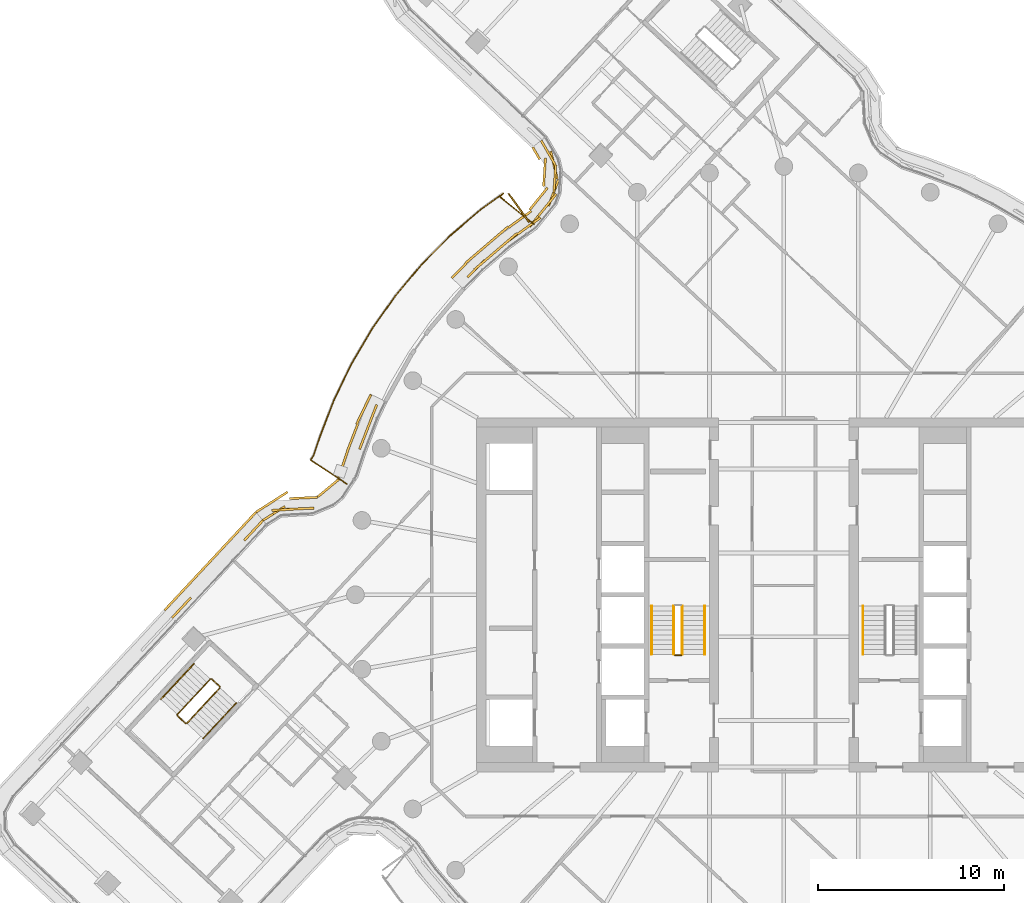
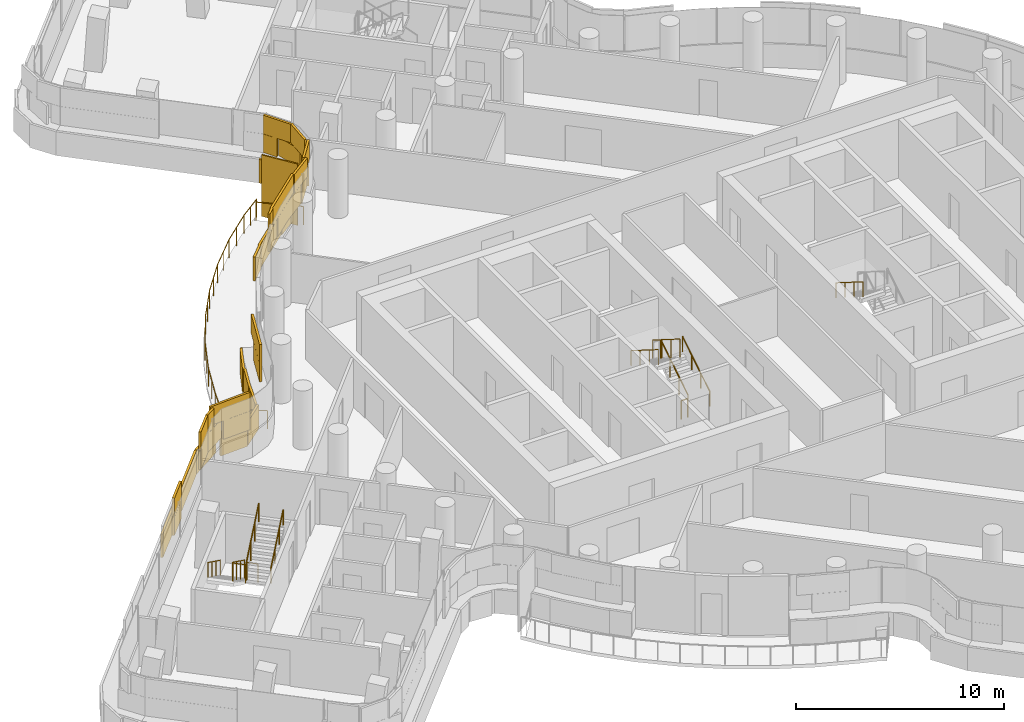
# One storey, part 26 of 30: 13 railings, 3 coverings, 1 shading device.
"""IFC4 building model written with IfcOpenShell, lengths in metres."""

from ifc_helpers import new_model, si_unit, direction, frame, origin, origin_2d, place, context, subcontext, project, spatial, rectangle, circle, extrude, material, layer, layer_set, type_object, element, save


model = new_model("IFC4")

# Units and contexts
model_context = context("Model", 3, precision=1e-05, world=origin(), true_north=direction((0.0, 1.0)))
body_context = subcontext(model_context, "Body", "Model", "MODEL_VIEW")
ifc_project = project(units=[si_unit("LENGTHUNIT", "METRE"), si_unit("AREAUNIT", "SQUARE_METRE"), si_unit("VOLUMEUNIT", "CUBIC_METRE"), si_unit("PLANEANGLEUNIT", "RADIAN"), si_unit("MASSUNIT", "GRAM", prefix="KILO")], contexts=[model_context])

# Site, building, storey
site_placement = place(None, origin())
site = spatial("IfcSite", under=ifc_project, at=site_placement, CompositionType="ELEMENT")
building_placement = place(site_placement, origin())
building = spatial("IfcBuilding", under=site, at=building_placement, Name="Tamarind Cross Interchange Tower", CompositionType="ELEMENT")
storey_placement = place(building_placement, frame((0.0, 0.0, 204.10009765625)))
storey = spatial("IfcBuildingStorey", under=building, at=storey_placement, Name="L51", CompositionType="ELEMENT", Elevation=204.10009765625)

# Railing
ifc_material_1 = material(Name="Stainless steel and laminated glass", Category="steel")
railing_type_1 = type_object("IfcRailingType", Name="Balcony guard", PredefinedType="BALUSTRADE", material=ifc_material_1)
railing_1_placement = place(storey_placement, frame((-13.42431640625, 19.89599609375, 0.0)))
element("IfcRailing", 1, at=railing_1_placement, inside=storey, type_object=railing_type_1, Name="Balcony guard 10", PredefinedType="BALUSTRADE", context=body_context, shape_type="SweptSolid", body=[
    extrude(circle(Radius=0.02490234375, at=origin_2d()), frame((0.0, 0.0, 1.0751953125), z_axis=(-0.775927285026, 0.630822358792, 0.0), x_axis=(-0.630822358792, -0.775927285026, 0.0)), (0.0, 0.0, 1.0), 2.320068359375),
    extrude(circle(Radius=0.02490234375, at=origin_2d()), frame((-1.80029296875, 1.463623046875, 1.0751953125), z_axis=(0.630951371349, 0.775822381085, 0.0), x_axis=(-0.775822381085, 0.630951371349, 0.0)), (0.0, 0.0, 1.0), 0.256103515625),
    extrude(circle(Radius=0.02490234375, at=origin_2d()), frame((-1.638671875, 1.662353515625, 1.0751953125), z_axis=(-0.810850035151, -0.585253979479, 0.0), x_axis=(0.585253979479, -0.810850035151, 0.0)), (0.0, 0.0, 1.0), 1.4697265625),
    extrude(circle(Radius=0.02490234375, at=origin_2d()), frame((-2.830322265625, 0.80224609375, 1.0751953125), z_axis=(-0.760293958697, -0.649579168669, 0.0), x_axis=(0.649579168669, -0.760293958697, 0.0)), (0.0, 0.0, 1.0), 2.17431640625),
    extrude(circle(Radius=0.02490234375, at=origin_2d()), frame((-4.4833984375, -0.610107421875, 1.0751953125), z_axis=(-0.704069857635, -0.710130717242, 0.0), x_axis=(0.710130717242, -0.704069857635, 0.0)), (0.0, 0.0, 1.0), 2.17529296875),
    extrude(circle(Radius=0.02490234375, at=origin_2d()), frame((-6.014892578125, -2.15478515625, 1.0751953125), z_axis=(-0.642984125922, -0.765879503455, 0.0), x_axis=(0.765879503455, -0.642984125922, 0.0)), (0.0, 0.0, 1.0), 2.17529296875),
    extrude(circle(Radius=0.02490234375, at=origin_2d()), frame((-7.41357421875, -3.82080078125, 1.0751953125), z_axis=(-0.577590617379, -0.81632657602, 0.0), x_axis=(0.81632657602, -0.577590617379, 0.0)), (0.0, 0.0, 1.0), 2.175048828125),
    extrude(circle(Radius=0.02490234375, at=origin_2d()), frame((-8.669921875, -5.596435546875, 1.0751953125), z_axis=(-0.508226290333, -0.861223570169, 0.0), x_axis=(0.861223570169, -0.508226290333, 0.0)), (0.0, 0.0, 1.0), 2.175048828125),
    extrude(circle(Radius=0.02490234375, at=origin_2d()), frame((-9.775390625, -7.4697265625, 1.0751953125), z_axis=(-0.435276325285, -0.90029690694, 0.0), x_axis=(0.90029690694, -0.435276325285, 0.0)), (0.0, 0.0, 1.0), 2.175048828125),
    extrude(circle(Radius=0.02490234375, at=origin_2d()), frame((-10.72216796875, -9.427978515625, 1.0751953125), z_axis=(-0.359516086723, -0.933138887512, 0.0), x_axis=(0.933138887512, -0.359516086723, 0.0)), (0.0, 0.0, 1.0), 2.13232421875),
    extrude(circle(Radius=0.02490234375, at=origin_2d()), frame((-11.48876953125, -11.417724609375, 1.0751953125), z_axis=(-0.316503773365, -0.948591250985, 0.0), x_axis=(0.948591250985, -0.316503773365, 0.0)), (0.0, 0.0, 1.0), 1.061279296875),
    extrude(circle(Radius=0.02490234375, at=origin_2d()), frame((-11.82470703125, -12.424560546875, 1.0751953125), z_axis=(-0.551494380481, -0.834178606953, 0.0), x_axis=(0.834178606953, -0.551494380481, 0.0)), (0.0, 0.0, 1.0), 0.281494140625),
    extrude(circle(Radius=0.02490234375, at=origin_2d()), frame((-11.97998046875, -12.659423828125, 1.0751953125), z_axis=(0.834084588316, -0.551636564718, 0.0), x_axis=(0.551636564718, 0.834084588316, 0.0)), (0.0, 0.0, 1.0), 2.320068359375),
    extrude(circle(Radius=0.02001953125, at=origin_2d()), origin(), (0.0, 0.0, 1.0), 1.050048828125),
    extrude(circle(Radius=0.02001953125, at=origin_2d()), frame((-0.900146484375, 0.73193359375, 0.0)), (0.0, 0.0, 1.0), 1.050048828125),
    extrude(circle(Radius=0.02001953125, at=origin_2d()), frame((-1.80029296875, 1.463623046875, 0.0)), (0.0, 0.0, 1.0), 1.050048828125),
    extrude(circle(Radius=0.02001953125, at=origin_2d()), frame((-1.638671875, 1.662353515625, 0.0)), (0.0, 0.0, 1.0), 1.050048828125),
    extrude(circle(Radius=0.02001953125, at=origin_2d()), frame((-2.234375, 1.232421875, 0.0)), (0.0, 0.0, 1.0), 1.050048828125),
    extrude(circle(Radius=0.02001953125, at=origin_2d()), frame((-2.830322265625, 0.80224609375, 0.0)), (0.0, 0.0, 1.0), 1.050048828125),
    extrude(circle(Radius=0.02001953125, at=origin_2d()), frame((-3.65673828125, 0.09619140625, 0.0)), (0.0, 0.0, 1.0), 1.050048828125),
    extrude(circle(Radius=0.02001953125, at=origin_2d()), frame((-4.4833984375, -0.610107421875, 0.0)), (0.0, 0.0, 1.0), 1.050048828125),
    extrude(circle(Radius=0.02001953125, at=origin_2d()), frame((-5.2490234375, -1.38232421875, 0.0)), (0.0, 0.0, 1.0), 1.050048828125),
    extrude(circle(Radius=0.02001953125, at=origin_2d()), frame((-6.014892578125, -2.15478515625, 0.0)), (0.0, 0.0, 1.0), 1.050048828125),
    extrude(circle(Radius=0.02001953125, at=origin_2d()), frame((-6.71435546875, -2.98779296875, 0.0)), (0.0, 0.0, 1.0), 1.050048828125),
    extrude(circle(Radius=0.02001953125, at=origin_2d()), frame((-7.41357421875, -3.82080078125, 0.0)), (0.0, 0.0, 1.0), 1.050048828125),
    extrude(circle(Radius=0.02001953125, at=origin_2d()), frame((-8.041748046875, -4.70849609375, 0.0)), (0.0, 0.0, 1.0), 1.050048828125),
    extrude(circle(Radius=0.02001953125, at=origin_2d()), frame((-8.669921875, -5.596435546875, 0.0)), (0.0, 0.0, 1.0), 1.050048828125),
    extrude(circle(Radius=0.02001953125, at=origin_2d()), frame((-9.22265625, -6.533203125, 0.0)), (0.0, 0.0, 1.0), 1.050048828125),
    extrude(circle(Radius=0.02001953125, at=origin_2d()), frame((-9.775390625, -7.4697265625, 0.0)), (0.0, 0.0, 1.0), 1.050048828125),
    extrude(circle(Radius=0.02001953125, at=origin_2d()), frame((-10.248779296875, -8.44873046875, 0.0)), (0.0, 0.0, 1.0), 1.050048828125),
    extrude(circle(Radius=0.02001953125, at=origin_2d()), frame((-10.72216796875, -9.427978515625, 0.0)), (0.0, 0.0, 1.0), 1.050048828125),
    extrude(circle(Radius=0.02001953125, at=origin_2d()), frame((-11.10546875, -10.4228515625, 0.0)), (0.0, 0.0, 1.0), 1.050048828125),
    extrude(circle(Radius=0.02001953125, at=origin_2d()), frame((-11.48876953125, -11.417724609375, 0.0)), (0.0, 0.0, 1.0), 1.050048828125),
    extrude(circle(Radius=0.02001953125, at=origin_2d()), frame((-11.82470703125, -12.424560546875, 0.0)), (0.0, 0.0, 1.0), 1.050048828125),
    extrude(circle(Radius=0.02001953125, at=origin_2d()), frame((-11.97998046875, -12.659423828125, 0.0)), (0.0, 0.0, 1.0), 1.050048828125),
    extrude(circle(Radius=0.02001953125, at=origin_2d()), frame((-11.012451171875, -13.29931640625, 0.0)), (0.0, 0.0, 1.0), 1.050048828125),
    extrude(circle(Radius=0.02001953125, at=origin_2d()), frame((-10.044921875, -13.939208984375, 0.0)), (0.0, 0.0, 1.0), 1.050048828125),
])

# Shading device
ifc_material_2 = material(Name="Bronze-finish aluminium louvre", Category="aluminium")
ifc_layer_1 = layer(ifc_material_2, 0.080078125)
ifc_layer_set_1 = layer_set([ifc_layer_1], Name="Bronze-finish aluminium louvre")
shading_device_type = type_object("IfcShadingDeviceType", Name="Operable louvre bay", PredefinedType="JALOUSIE", material=ifc_layer_set_1)
shading_device_placement = place(storey_placement, origin())
element("IfcShadingDevice", 2, at=shading_device_placement, inside=storey, type_object=shading_device_type, Name="LVR-L51-BAL10", PredefinedType="JALOUSIE", context=body_context, shape_type="SweptSolid", body=[
    extrude(rectangle(XDim=1.89990234375, YDim=0.080078125, at=origin_2d()), frame((-14.23095703125, 20.777587890625, -0.000244140625), z_axis=(0.0, 0.0, 1.0), x_axis=(-0.585200218014, 0.810888836301, 0.0)), (0.0, 0.0, 1.0), 3.60009765625),
])

# Railings
ifc_material_3 = material(Name="Stair guard")
railing_type_2 = type_object("IfcRailingType", Name="Stair guard", PredefinedType="GUARDRAIL", material=ifc_material_3)
railing_2_placement = place(storey_placement, frame((-5.449951171875, -3.199951171875, 0.16357421875)))
element("IfcRailing", 3, at=railing_2_placement, inside=storey, type_object=railing_type_2, Name="L51 ST1 stair guard 1", PredefinedType="GUARDRAIL", context=body_context, shape_type="SweptSolid", body=[
    extrude(circle(Radius=0.02392578125, at=origin_2d()), frame((0.0, 0.0, 1.076171875), z_axis=(0.0, 0.846337672412, 0.532646734952), x_axis=(-1.0, 0.0, 0.0)), (0.0, 0.0, 1.0), 3.07177734375),
    extrude(circle(Radius=0.02099609375, at=origin_2d()), origin(), (0.0, 0.0, 1.0), 1.052001953125),
    extrude(circle(Radius=0.02099609375, at=origin_2d()), frame((0.0, 0.86669921875, 0.54541015625)), (0.0, 0.0, 1.0), 1.052001953125),
    extrude(circle(Radius=0.02099609375, at=origin_2d()), frame((0.0, 1.733154296875, 1.0908203125)), (0.0, 0.0, 1.0), 1.052001953125),
    extrude(circle(Radius=0.02099609375, at=origin_2d()), frame((0.0, 2.599853515625, 1.63623046875)), (0.0, 0.0, 1.0), 1.052001953125),
])
railing_3_placement = place(storey_placement, frame((-5.89990234375, -0.60009765625, 1.963623046875)))
element("IfcRailing", 4, at=railing_3_placement, inside=storey, type_object=railing_type_2, Name="L51 ST1 stair guard 3", PredefinedType="GUARDRAIL", context=body_context, shape_type="SweptSolid", body=[
    extrude(circle(Radius=0.02392578125, at=origin_2d()), frame((0.0, 0.0, 1.076171875), z_axis=(0.0, -0.846337672412, 0.532646734952), x_axis=(1.0, 0.0, 0.0)), (0.0, 0.0, 1.0), 3.07177734375),
    extrude(circle(Radius=0.02099609375, at=origin_2d()), origin(), (0.0, 0.0, 1.0), 1.052001953125),
    extrude(circle(Radius=0.02099609375, at=origin_2d()), frame((0.0, -0.86669921875, 0.54541015625)), (0.0, 0.0, 1.0), 1.052001953125),
    extrude(circle(Radius=0.02099609375, at=origin_2d()), frame((0.0, -1.733154296875, 1.0908203125)), (0.0, 0.0, 1.0), 1.052001953125),
    extrude(circle(Radius=0.02099609375, at=origin_2d()), frame((0.0, -2.599853515625, 1.63623046875)), (0.0, 0.0, 1.0), 1.052001953125),
])
railing_4_placement = place(storey_placement, frame((-5.5, -3.25, 0.0)))
element("IfcRailing", 5, at=railing_4_placement, inside=storey, type_object=railing_type_2, Name="L51 ST1 stair guard 4", PredefinedType="GUARDRAIL", context=body_context, shape_type="SweptSolid", body=[
    extrude(circle(Radius=0.02392578125, at=origin_2d()), frame((0.0, 0.0, 1.076171875), z_axis=(-1.0, 0.0, 0.0), x_axis=(0.0, -1.0, 0.0)), (0.0, 0.0, 1.0), 0.35009765625),
    extrude(circle(Radius=0.02099609375, at=origin_2d()), origin(), (0.0, 0.0, 1.0), 1.052001953125),
    extrude(circle(Radius=0.02099609375, at=origin_2d()), frame((-0.35009765625, 0.0, 0.0)), (0.0, 0.0, 1.0), 1.052001953125),
])
railing_5_placement = place(storey_placement, frame((-30.791259765625, -4.519287109375, 0.16357421875)))
element("IfcRailing", 6, at=railing_5_placement, inside=storey, type_object=railing_type_2, Name="L51 ST5 stair guard 1", PredefinedType="GUARDRAIL", context=body_context, shape_type="SweptSolid", body=[
    extrude(circle(Radius=0.02392578125, at=origin_2d()), frame((0.0, 0.0, 1.076171875), z_axis=(-0.577036158803, -0.619155586453, 0.532612083225), x_axis=(0.731551546756, -0.681786135412, 0.0)), (0.0, 0.0, 1.0), 3.072021484375),
    extrude(circle(Radius=0.02099609375, at=origin_2d()), origin(), (0.0, 0.0, 1.0), 1.052001953125),
    extrude(circle(Radius=0.02099609375, at=origin_2d()), frame((-0.5908203125, -0.634033203125, 0.54541015625)), (0.0, 0.0, 1.0), 1.052001953125),
    extrude(circle(Radius=0.02099609375, at=origin_2d()), frame((-1.181884765625, -1.26806640625, 1.0908203125)), (0.0, 0.0, 1.0), 1.052001953125),
    extrude(circle(Radius=0.02099609375, at=origin_2d()), frame((-1.772705078125, -1.902099609375, 1.63623046875)), (0.0, 0.0, 1.0), 1.052001953125),
])
railing_6_placement = place(storey_placement, frame((-32.5615234375, -6.491943359375, 1.7998046875)))
element("IfcRailing", 7, at=railing_6_placement, inside=storey, type_object=railing_type_2, Name="L51 ST5 stair guard 2", PredefinedType="GUARDRAIL", context=body_context, shape_type="SweptSolid", body=[
    extrude(circle(Radius=0.02392578125, at=origin_2d()), frame((0.0, 0.0, 1.076171875), z_axis=(0.731488046885, -0.681854263948, 0.0), x_axis=(0.681854263948, 0.731488046885, 0.0)), (0.0, 0.0, 1.0), 0.60009765625),
    extrude(circle(Radius=0.02099609375, at=origin_2d()), origin(), (0.0, 0.0, 1.0), 1.052001953125),
    extrude(circle(Radius=0.02099609375, at=origin_2d()), frame((0.43896484375, -0.4091796875, 0.0)), (0.0, 0.0, 1.0), 1.052001953125),
])
railing_7_placement = place(storey_placement, frame((-32.052001953125, -6.898681640625, 1.963623046875)))
element("IfcRailing", 8, at=railing_7_placement, inside=storey, type_object=railing_type_2, Name="L51 ST5 stair guard 3", PredefinedType="GUARDRAIL", context=body_context, shape_type="SweptSolid", body=[
    extrude(circle(Radius=0.02392578125, at=origin_2d()), frame((0.0, 0.0, 1.076171875), z_axis=(0.577036158803, 0.619155586453, 0.532612083225), x_axis=(-0.731551546756, 0.681786135412, 0.0)), (0.0, 0.0, 1.0), 3.072021484375),
    extrude(circle(Radius=0.02099609375, at=origin_2d()), origin(), (0.0, 0.0, 1.0), 1.052001953125),
    extrude(circle(Radius=0.02099609375, at=origin_2d()), frame((0.5908203125, 0.634033203125, 0.54541015625)), (0.0, 0.0, 1.0), 1.052001953125),
    extrude(circle(Radius=0.02099609375, at=origin_2d()), frame((1.181884765625, 1.26806640625, 1.0908203125)), (0.0, 0.0, 1.0), 1.052001953125),
    extrude(circle(Radius=0.02099609375, at=origin_2d()), frame((1.772705078125, 1.902099609375, 1.63623046875)), (0.0, 0.0, 1.0), 1.052001953125),
])
railing_8_placement = place(storey_placement, frame((-30.720703125, -4.516845703125, 0.0)))
element("IfcRailing", 9, at=railing_8_placement, inside=storey, type_object=railing_type_2, Name="L51 ST5 stair guard 4", PredefinedType="GUARDRAIL", context=body_context, shape_type="SweptSolid", body=[
    extrude(circle(Radius=0.02392578125, at=origin_2d()), frame((0.0, 0.0, 1.076171875), z_axis=(0.731488046885, -0.681854263948, 0.0), x_axis=(0.681854263948, 0.731488046885, 0.0)), (0.0, 0.0, 1.0), 0.60009765625),
    extrude(circle(Radius=0.02099609375, at=origin_2d()), origin(), (0.0, 0.0, 1.0), 1.052001953125),
    extrude(circle(Radius=0.02099609375, at=origin_2d()), frame((0.43896484375, -0.4091796875, 0.0)), (0.0, 0.0, 1.0), 1.052001953125),
])
ifc_material_4 = material(Name="Stair handrail")
railing_type_3 = type_object("IfcRailingType", Name="Stair handrail", PredefinedType="HANDRAIL", material=ifc_material_4)
railing_9_placement = place(storey_placement, frame((-4.25, -3.199951171875, 0.16357421875)))
element("IfcRailing", 10, at=railing_9_placement, inside=storey, type_object=railing_type_3, Name="L51 ST1 stair handrail 1", PredefinedType="HANDRAIL", context=body_context, shape_type="SweptSolid", body=[
    extrude(circle(Radius=0.02392578125, at=origin_2d()), frame((0.0, 0.0, 0.8759765625), z_axis=(0.0, 0.846337672412, 0.532646734952), x_axis=(-1.0, 0.0, 0.0)), (0.0, 0.0, 1.0), 3.07177734375),
    extrude(circle(Radius=0.02099609375, at=origin_2d()), origin(), (0.0, 0.0, 1.0), 0.851806640625),
    extrude(circle(Radius=0.02099609375, at=origin_2d()), frame((0.0, 0.86669921875, 0.54541015625)), (0.0, 0.0, 1.0), 0.851806640625),
    extrude(circle(Radius=0.02099609375, at=origin_2d()), frame((0.0, 1.733154296875, 1.0908203125)), (0.0, 0.0, 1.0), 0.851806640625),
    extrude(circle(Radius=0.02099609375, at=origin_2d()), frame((0.0, 2.599853515625, 1.63623046875)), (0.0, 0.0, 1.0), 0.851806640625),
])
for number, where, name in (
    (11, (-7.10009765625, -0.60009765625, 1.963623046875), "L51 ST1 stair handrail 2"),
    (12, (4.25, -0.60009765625, 1.963623046875), "L51 ST2 stair handrail 2"),
):
    element("IfcRailing", number, at=place(storey_placement, frame(where)), inside=storey, type_object=railing_type_3, Name=name, PredefinedType="HANDRAIL", context=body_context, shape_type="SweptSolid", body=[
        extrude(circle(Radius=0.02392578125, at=origin_2d()), frame((0.0, 0.0, 0.8759765625), z_axis=(0.0, -0.846337672412, 0.532646734952), x_axis=(1.0, 0.0, 0.0)), (0.0, 0.0, 1.0), 3.07177734375),
        extrude(circle(Radius=0.02099609375, at=origin_2d()), origin(), (0.0, 0.0, 1.0), 0.851806640625),
        extrude(circle(Radius=0.02099609375, at=origin_2d()), frame((0.0, -0.86669921875, 0.54541015625)), (0.0, 0.0, 1.0), 0.851806640625),
        extrude(circle(Radius=0.02099609375, at=origin_2d()), frame((0.0, -1.733154296875, 1.0908203125)), (0.0, 0.0, 1.0), 0.851806640625),
        extrude(circle(Radius=0.02099609375, at=origin_2d()), frame((0.0, -2.599853515625, 1.63623046875)), (0.0, 0.0, 1.0), 0.851806640625),
    ])
railing_10_placement = place(storey_placement, frame((-31.669189453125, -3.701171875, 0.16357421875)))
element("IfcRailing", 13, at=railing_10_placement, inside=storey, type_object=railing_type_3, Name="L51 ST5 stair handrail 1", PredefinedType="HANDRAIL", context=body_context, shape_type="SweptSolid", body=[
    extrude(circle(Radius=0.02392578125, at=origin_2d()), frame((0.0, 0.0, 0.8759765625), z_axis=(-0.577036158803, -0.619155586453, 0.532612083225), x_axis=(0.731551546756, -0.681786135412, 0.0)), (0.0, 0.0, 1.0), 3.072021484375),
    extrude(circle(Radius=0.02099609375, at=origin_2d()), origin(), (0.0, 0.0, 1.0), 0.851806640625),
    extrude(circle(Radius=0.02099609375, at=origin_2d()), frame((-0.5908203125, -0.634033203125, 0.54541015625)), (0.0, 0.0, 1.0), 0.851806640625),
    extrude(circle(Radius=0.02099609375, at=origin_2d()), frame((-1.181884765625, -1.26806640625, 1.0908203125)), (0.0, 0.0, 1.0), 0.851806640625),
    extrude(circle(Radius=0.02099609375, at=origin_2d()), frame((-1.772705078125, -1.902099609375, 1.63623046875)), (0.0, 0.0, 1.0), 0.851806640625),
])
railing_11_placement = place(storey_placement, frame((-31.174072265625, -7.716796875, 1.963623046875)))
element("IfcRailing", 14, at=railing_11_placement, inside=storey, type_object=railing_type_3, Name="L51 ST5 stair handrail 2", PredefinedType="HANDRAIL", context=body_context, shape_type="SweptSolid", body=[
    extrude(circle(Radius=0.02392578125, at=origin_2d()), frame((0.0, 0.0, 0.8759765625), z_axis=(0.577036158803, 0.619155586453, 0.532612083225), x_axis=(-0.731551546756, 0.681786135412, 0.0)), (0.0, 0.0, 1.0), 3.072021484375),
    extrude(circle(Radius=0.02099609375, at=origin_2d()), origin(), (0.0, 0.0, 1.0), 0.851806640625),
    extrude(circle(Radius=0.02099609375, at=origin_2d()), frame((0.5908203125, 0.634033203125, 0.54541015625)), (0.0, 0.0, 1.0), 0.851806640625),
    extrude(circle(Radius=0.02099609375, at=origin_2d()), frame((1.181884765625, 1.26806640625, 1.0908203125)), (0.0, 0.0, 1.0), 0.851806640625),
    extrude(circle(Radius=0.02099609375, at=origin_2d()), frame((1.772705078125, 1.902099609375, 1.63623046875)), (0.0, 0.0, 1.0), 0.851806640625),
])

# Coverings
ifc_material_5 = material(Name="Terracotta", Category="masonry")
ifc_layer_2 = layer(ifc_material_5, 0.1201171875)
ifc_layer_set_2 = layer_set([ifc_layer_2], Name="Terracotta")
covering_type = type_object("IfcCoveringType", Name="Terracotta baguette screen unit", PredefinedType="MOLDING", material=ifc_layer_set_2)
covering_1_placement = place(storey_placement, origin())
element("IfcCovering", 15, at=covering_1_placement, inside=storey, type_object=covering_type, Name="SCR-L51-10-00", PredefinedType="MOLDING", context=body_context, shape_type="SweptSolid", body=[
    extrude(rectangle(XDim=0.760009765625, YDim=0.1201171875, at=origin_2d()), frame((-12.843017578125, 24.06982421875, 1.40380859375), z_axis=(0.0, 0.0, 1.0), x_axis=(0.501526631545, -0.865142206721, 0.0)), (0.0, 0.0, 1.0), 1.092041015625),
    extrude(rectangle(XDim=1.52001953125, YDim=0.1201171875, at=origin_2d()), frame((-12.340576171875, 23.072021484375, 1.40380859375), z_axis=(0.0, 0.0, 1.0), x_axis=(0.22811476184, -0.973634251365, 0.0)), (0.0, 0.0, 1.0), 1.092041015625),
    extrude(rectangle(XDim=1.52001953125, YDim=0.1201171875, at=origin_2d()), frame((-12.362548828125, 21.58642578125, 1.40380859375), z_axis=(0.0, 0.0, 1.0), x_axis=(-0.352556948267, -0.935790360192, 0.0)), (0.0, 0.0, 1.0), 1.092041015625),
    extrude(rectangle(XDim=1.52001953125, YDim=0.1201171875, at=origin_2d()), frame((-13.1748046875, 20.345703125, 1.40380859375), z_axis=(0.0, 0.0, 1.0), x_axis=(-0.630797467392, -0.775947520862, 0.0)), (0.0, 0.0, 1.0), 1.092041015625),
    extrude(rectangle(XDim=1.52001953125, YDim=0.1201171875, at=origin_2d()), frame((-14.29296875, 19.36376953125, 1.40380859375), z_axis=(0.0, 0.0, 1.0), x_axis=(-0.8108888363, -0.585200218014, 0.0)), (0.0, 0.0, 1.0), 1.092041015625),
    extrude(rectangle(XDim=1.52001953125, YDim=0.1201171875, at=origin_2d()), frame((-15.4697265625, 18.435791015625, 1.40380859375), z_axis=(0.0, 0.0, 1.0), x_axis=(-0.760295606781, -0.64957723968, 0.0)), (0.0, 0.0, 1.0), 1.092041015625),
    extrude(rectangle(XDim=1.30126953125, YDim=0.1201171875, at=origin_2d()), frame((-16.5205078125, 17.517822265625, 1.40380859375), z_axis=(0.0, 0.0, 1.0), x_axis=(-0.704057148523, -0.710143317658, 0.0)), (0.0, 0.0, 1.0), 1.092041015625),
    extrude(rectangle(XDim=1.510009765625, YDim=0.1201171875, at=origin_2d()), frame((-12.65478515625, 23.745361328125, 2.50390625), z_axis=(0.0, 0.0, 1.0), x_axis=(0.501526631545, -0.865142206721, 0.0)), (0.0, 0.0, 1.0), 1.092041015625),
    extrude(rectangle(XDim=1.52001953125, YDim=0.1201171875, at=origin_2d()), frame((-12.296630859375, 22.331298828125, 2.50390625), z_axis=(0.0, 0.0, 1.0), x_axis=(-0.065034640495, -0.997883006938, 0.0)), (0.0, 0.0, 1.0), 1.092041015625),
    extrude(rectangle(XDim=1.52001953125, YDim=0.1201171875, at=origin_2d()), frame((-12.70166015625, 20.927734375, 2.50390625), z_axis=(0.0, 0.0, 1.0), x_axis=(-0.630797467392, -0.775947520862, 0.0)), (0.0, 0.0, 1.0), 1.092041015625),
    extrude(rectangle(XDim=1.52001953125, YDim=0.1201171875, at=origin_2d()), frame((-13.684814453125, 19.802734375, 2.50390625), z_axis=(0.0, 0.0, 1.0), x_axis=(-0.8108888363, -0.585200218014, 0.0)), (0.0, 0.0, 1.0), 1.092041015625),
    extrude(rectangle(XDim=1.52001953125, YDim=0.1201171875, at=origin_2d()), frame((-14.899658203125, 18.9228515625, 2.50390625), z_axis=(0.0, 0.0, 1.0), x_axis=(-0.760295606781, -0.64957723968, 0.0)), (0.0, 0.0, 1.0), 1.092041015625),
    extrude(rectangle(XDim=1.52001953125, YDim=0.1201171875, at=origin_2d()), frame((-16.0400390625, 17.948486328125, 2.50390625), z_axis=(0.0, 0.0, 1.0), x_axis=(-0.760295606781, -0.64957723968, 0.0)), (0.0, 0.0, 1.0), 1.092041015625),
    extrude(rectangle(XDim=0.55126953125, YDim=0.1201171875, at=origin_2d()), frame((-16.784423828125, 17.251708984375, 2.50390625), z_axis=(0.0, 0.0, 1.0), x_axis=(-0.704057148523, -0.710143317658, 0.0)), (0.0, 0.0, 1.0), 1.092041015625),
    extrude(rectangle(XDim=0.760009765625, YDim=0.1201171875, at=origin_2d()), frame((-13.294921875, 23.704833984375, 0.00390625), z_axis=(0.0, 0.0, 1.0), x_axis=(0.501526631545, -0.865142206721, 0.0)), (0.0, 0.0, 1.0), 1.39208984375),
    extrude(rectangle(XDim=1.52001953125, YDim=0.1201171875, at=origin_2d()), frame((-12.848388671875, 22.6923828125, 0.00390625), z_axis=(0.0, 0.0, 1.0), x_axis=(-0.065034640495, -0.997883006938, 0.0)), (0.0, 0.0, 1.0), 1.39208984375),
    extrude(rectangle(XDim=1.52001953125, YDim=0.1201171875, at=origin_2d()), frame((-13.167724609375, 21.26416015625, 0.00390625), z_axis=(0.0, 0.0, 1.0), x_axis=(-0.630797467392, -0.775947520862, 0.0)), (0.0, 0.0, 1.0), 1.39208984375),
    extrude(rectangle(XDim=1.52001953125, YDim=0.1201171875, at=origin_2d()), frame((-14.17041015625, 20.16015625, 0.00390625), z_axis=(0.0, 0.0, 1.0), x_axis=(-0.8108888363, -0.585200218014, 0.0)), (0.0, 0.0, 1.0), 1.39208984375),
    extrude(rectangle(XDim=1.52001953125, YDim=0.1201171875, at=origin_2d()), frame((-15.376953125, 19.27001953125, 0.00390625), z_axis=(0.0, 0.0, 1.0), x_axis=(-0.760295606781, -0.64957723968, 0.0)), (0.0, 0.0, 1.0), 1.39208984375),
    extrude(rectangle(XDim=1.52001953125, YDim=0.1201171875, at=origin_2d()), frame((-16.517578125, 18.295654296875, 0.00390625), z_axis=(0.0, 0.0, 1.0), x_axis=(-0.760295606781, -0.64957723968, 0.0)), (0.0, 0.0, 1.0), 1.39208984375),
    extrude(rectangle(XDim=1.094482421875, YDim=0.1201171875, at=origin_2d()), frame((-17.443115234375, 17.40234375, 0.00390625), z_axis=(0.0, 0.0, 1.0), x_axis=(-0.704057148523, -0.710143317658, 0.0)), (0.0, 0.0, 1.0), 1.39208984375),
    extrude(rectangle(XDim=0.03076171875, YDim=0.1201171875, at=origin_2d()), frame((-22.172607421875, 10.745849609375, 0.00390625), z_axis=(0.0, 0.0, 1.0), x_axis=(-0.435326231914, -0.900272776334, 0.0)), (0.0, 0.0, 1.0), 1.39208984375),
])
covering_2_placement = place(storey_placement, origin())
element("IfcCovering", 16, at=covering_2_placement, inside=storey, type_object=covering_type, Name="SCR-L51-10-01", PredefinedType="MOLDING", context=body_context, shape_type="SweptSolid", body=[
    extrude(rectangle(XDim=1.52001953125, YDim=0.1201171875, at=origin_2d()), frame((-22.399658203125, 8.799072265625, 1.40380859375), z_axis=(0.0, 0.0, 1.0), x_axis=(-0.359495435512, -0.933146843667, 0.0)), (0.0, 0.0, 1.0), 1.092041015625),
    extrude(rectangle(XDim=0.313232421875, YDim=0.1201171875, at=origin_2d()), frame((-22.723876953125, 7.957763671875, 1.40380859375), z_axis=(0.0, 0.0, 1.0), x_axis=(-0.359495435512, -0.933146843667, 0.0)), (0.0, 0.0, 1.0), 1.092041015625),
    extrude(rectangle(XDim=1.5068359375, YDim=0.1201171875, at=origin_2d()), frame((-25.988525390625, 4.618408203125, 1.40380859375), z_axis=(0.0, 0.0, 1.0), x_axis=(-0.999021950994, -0.044216981257, 0.0)), (0.0, 0.0, 1.0), 1.092041015625),
    extrude(rectangle(XDim=1.4052734375, YDim=0.1201171875, at=origin_2d()), frame((-27.37939453125, 4.37060546875, 1.40380859375), z_axis=(0.0, 0.0, 1.0), x_axis=(-0.843473860475, -0.53717022134, 0.0)), (0.0, 0.0, 1.0), 1.092041015625),
    extrude(rectangle(XDim=1.52001953125, YDim=0.1201171875, at=origin_2d()), frame((-22.130126953125, 9.498779296875, 2.50390625), z_axis=(0.0, 0.0, 1.0), x_axis=(-0.359495435512, -0.933146843667, 0.0)), (0.0, 0.0, 1.0), 1.092041015625),
    extrude(rectangle(XDim=1.063232421875, YDim=0.1201171875, at=origin_2d()), frame((-22.589111328125, 8.3076171875, 2.50390625), z_axis=(0.0, 0.0, 1.0), x_axis=(-0.359495435512, -0.933146843667, 0.0)), (0.0, 0.0, 1.0), 1.092041015625),
    extrude(rectangle(XDim=0.7568359375, YDim=0.1201171875, at=origin_2d()), frame((-25.614013671875, 4.635009765625, 2.50390625), z_axis=(0.0, 0.0, 1.0), x_axis=(-0.999021950994, -0.044216981257, 0.0)), (0.0, 0.0, 1.0), 1.092041015625),
    extrude(rectangle(XDim=1.52001953125, YDim=0.1201171875, at=origin_2d()), frame((-26.735595703125, 4.574951171875, 2.50390625), z_axis=(0.0, 0.0, 1.0), x_axis=(-0.99819647192, -0.060031687027, 0.0)), (0.0, 0.0, 1.0), 1.092041015625),
    extrude(rectangle(XDim=0.6552734375, YDim=0.1201171875, at=origin_2d()), frame((-27.695556640625, 4.169189453125, 2.50390625), z_axis=(0.0, 0.0, 1.0), x_axis=(-0.843473860475, -0.53717022134, 0.0)), (0.0, 0.0, 1.0), 1.092041015625),
    extrude(rectangle(XDim=0.249267578125, YDim=0.1201171875, at=origin_2d()), frame((-22.233642578125, 10.619873046875, 0.00390625), z_axis=(0.0, 0.0, 1.0), x_axis=(-0.435326231914, -0.900272776334, 0.0)), (0.0, 0.0, 1.0), 1.39208984375),
    extrude(rectangle(XDim=1.52001953125, YDim=0.1201171875, at=origin_2d()), frame((-22.610107421875, 9.84130859375, 0.00390625), z_axis=(0.0, 0.0, 1.0), x_axis=(-0.435326231914, -0.900272776334, 0.0)), (0.0, 0.0, 1.0), 1.39208984375),
    extrude(rectangle(XDim=1.52001953125, YDim=0.1201171875, at=origin_2d()), frame((-23.152099609375, 8.44287109375, 0.00390625), z_axis=(0.0, 0.0, 1.0), x_axis=(-0.359495435512, -0.933146843667, 0.0)), (0.0, 0.0, 1.0), 1.39208984375),
    extrude(rectangle(XDim=1.52001953125, YDim=0.1201171875, at=origin_2d()), frame((-23.65087890625, 7.028564453125, 0.00390625), z_axis=(0.0, 0.0, 1.0), x_axis=(-0.316502240782, -0.94859176234, 0.0)), (0.0, 0.0, 1.0), 1.39208984375),
    extrude(rectangle(XDim=1.52001953125, YDim=0.1201171875, at=origin_2d()), frame((-24.425048828125, 5.7587890625, 0.00390625), z_axis=(0.0, 0.0, 1.0), x_axis=(-0.770297722218, -0.637684419714, 0.0)), (0.0, 0.0, 1.0), 1.39208984375),
    extrude(rectangle(XDim=1.52001953125, YDim=0.1201171875, at=origin_2d()), frame((-25.785888671875, 5.2021484375, 0.00390625), z_axis=(0.0, 0.0, 1.0), x_axis=(-0.999021950994, -0.044216981257, 0.0)), (0.0, 0.0, 1.0), 1.39208984375),
    extrude(rectangle(XDim=1.52001953125, YDim=0.1201171875, at=origin_2d()), frame((-27.2822265625, 5.113037109375, 0.00390625), z_axis=(0.0, 0.0, 1.0), x_axis=(-0.843473860475, -0.53717022134, 0.0)), (0.0, 0.0, 1.0), 1.39208984375),
    extrude(rectangle(XDim=0.511474609375, YDim=0.1201171875, at=origin_2d()), frame((-28.1220703125, 4.578125, 0.00390625), z_axis=(0.0, 0.0, 1.0), x_axis=(-0.843473860475, -0.53717022134, 0.0)), (0.0, 0.0, 1.0), 1.39208984375),
])
covering_3_placement = place(storey_placement, origin())
element("IfcCovering", 17, at=covering_3_placement, inside=storey, type_object=covering_type, Name="SCR-L51-11-00", PredefinedType="MOLDING", context=body_context, shape_type="SweptSolid", body=[
    extrude(rectangle(XDim=0.760009765625, YDim=0.1201171875, at=origin_2d()), frame((-28.223388671875, 3.721435546875, 1.40380859375), z_axis=(0.0, 0.0, 1.0), x_axis=(-0.681794100992, -0.73154412297, 0.0)), (0.0, 0.0, 1.0), 1.092041015625),
    extrude(rectangle(XDim=0.735595703125, YDim=0.1201171875, at=origin_2d()), frame((-28.7265625, 3.181640625, 1.40380859375), z_axis=(0.0, 0.0, 1.0), x_axis=(-0.681794100992, -0.73154412297, 0.0)), (0.0, 0.0, 1.0), 1.092041015625),
    extrude(rectangle(XDim=1.08447265625, YDim=0.1201171875, at=origin_2d()), frame((-32.20361328125, -0.549072265625, 1.40380859375), z_axis=(0.0, 0.0, 1.0), x_axis=(-0.681794100992, -0.73154412297, 0.0)), (0.0, 0.0, 1.0), 1.092041015625),
    extrude(rectangle(XDim=0.4111328125, YDim=0.1201171875, at=origin_2d()), frame((-32.70654296875, -1.0888671875, 1.40380859375), z_axis=(0.0, 0.0, 1.0), x_axis=(-0.681794100992, -0.73154412297, 0.0)), (0.0, 0.0, 1.0), 1.092041015625),
    extrude(rectangle(XDim=1.4755859375, YDim=0.1201171875, at=origin_2d()), frame((-28.470703125, 3.4560546875, 2.50390625), z_axis=(0.0, 0.0, 1.0), x_axis=(-0.681794100992, -0.73154412297, 0.0)), (0.0, 0.0, 1.0), 1.092041015625),
    extrude(rectangle(XDim=0.33447265625, YDim=0.1201171875, at=origin_2d()), frame((-31.947998046875, -0.27490234375, 2.50390625), z_axis=(0.0, 0.0, 1.0), x_axis=(-0.681794100992, -0.73154412297, 0.0)), (0.0, 0.0, 1.0), 1.092041015625),
    extrude(rectangle(XDim=1.1611328125, YDim=0.1201171875, at=origin_2d()), frame((-32.450927734375, -0.814453125, 2.50390625), z_axis=(0.0, 0.0, 1.0), x_axis=(-0.681794100992, -0.73154412297, 0.0)), (0.0, 0.0, 1.0), 1.092041015625),
    extrude(rectangle(XDim=0.760009765625, YDim=0.1201171875, at=origin_2d()), frame((-28.596923828125, 4.16259765625, 0.00390625), z_axis=(0.0, 0.0, 1.0), x_axis=(-0.681794100992, -0.73154412297, 0.0)), (0.0, 0.0, 1.0), 1.39208984375),
    extrude(rectangle(XDim=1.52001953125, YDim=0.1201171875, at=origin_2d()), frame((-29.360595703125, 3.34326171875, 0.00390625), z_axis=(0.0, 0.0, 1.0), x_axis=(-0.681794100992, -0.73154412297, 0.0)), (0.0, 0.0, 1.0), 1.39208984375),
    extrude(rectangle(XDim=1.52001953125, YDim=0.1201171875, at=origin_2d()), frame((-30.383056640625, 2.24609375, 0.00390625), z_axis=(0.0, 0.0, 1.0), x_axis=(-0.681794100992, -0.73154412297, 0.0)), (0.0, 0.0, 1.0), 1.39208984375),
    extrude(rectangle(XDim=1.52001953125, YDim=0.1201171875, at=origin_2d()), frame((-31.40576171875, 1.148681640625, 0.00390625), z_axis=(0.0, 0.0, 1.0), x_axis=(-0.681794100992, -0.73154412297, 0.0)), (0.0, 0.0, 1.0), 1.39208984375),
    extrude(rectangle(XDim=1.52001953125, YDim=0.1201171875, at=origin_2d()), frame((-32.428466796875, 0.051513671875, 0.00390625), z_axis=(0.0, 0.0, 1.0), x_axis=(-0.681794100992, -0.73154412297, 0.0)), (0.0, 0.0, 1.0), 1.39208984375),
    extrude(rectangle(XDim=0.46435546875, YDim=0.1201171875, at=origin_2d()), frame((-33.09130859375, -0.65966796875, 0.00390625), z_axis=(0.0, 0.0, 1.0), x_axis=(-0.681794100992, -0.73154412297, 0.0)), (0.0, 0.0, 1.0), 1.39208984375),
])

save(model, "model.ifc")
